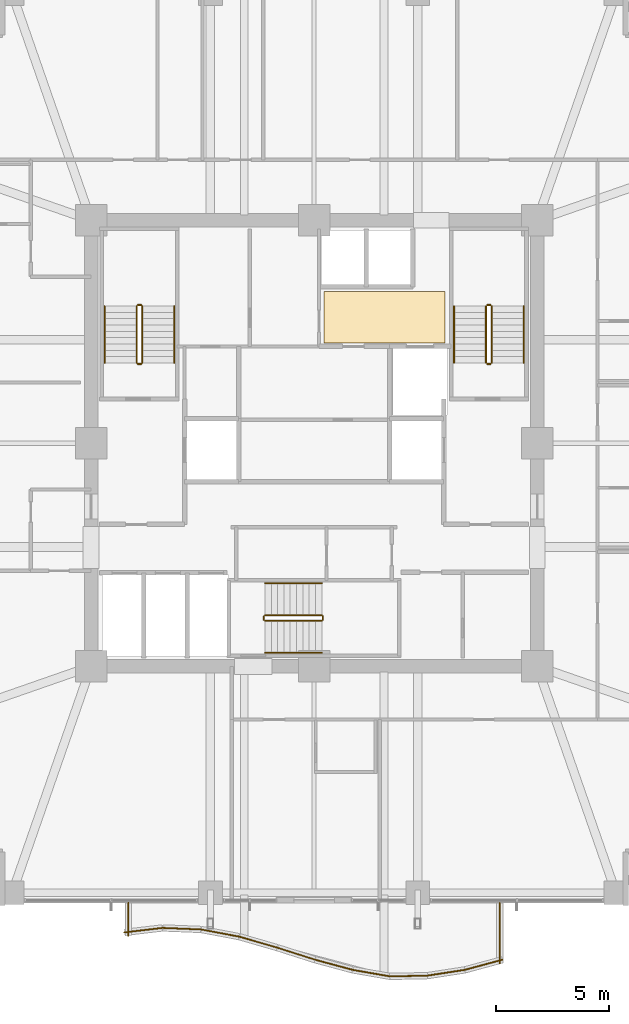
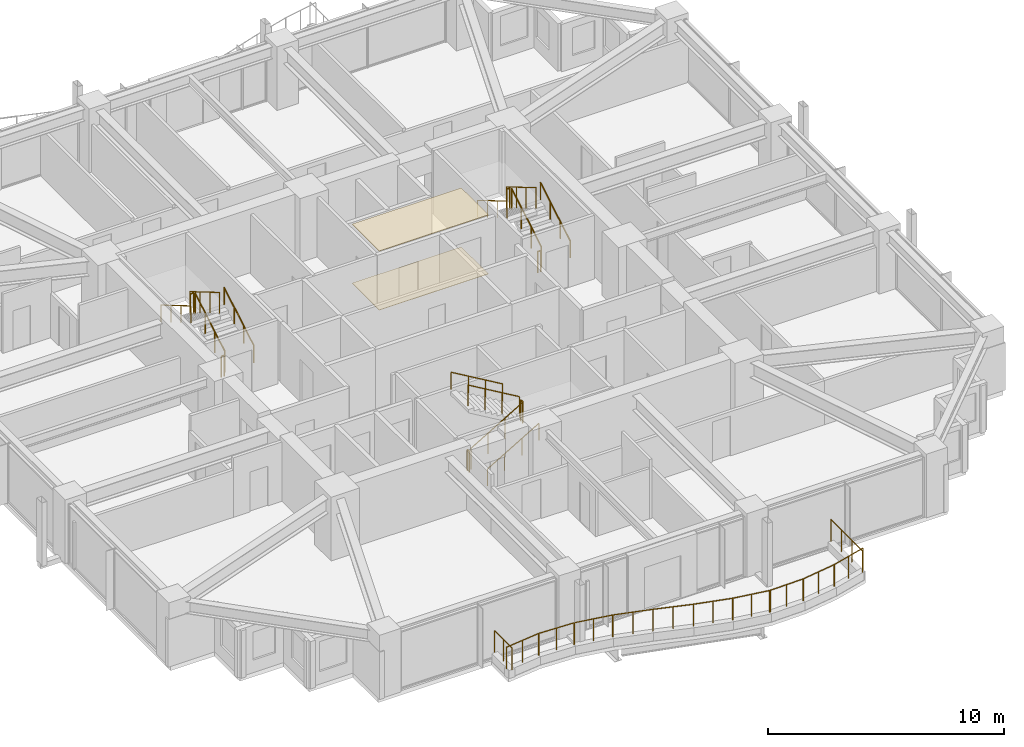
# One storey, part 37 of 38: 30 railings, 2 coverings.
"""IFC4 building model written with IfcOpenShell, lengths in metres."""

from ifc_helpers import new_model, si_unit, direction, frame, origin, origin_2d, place, context, subcontext, project, spatial, polyline, circle, outline, extrude, material, layer, layer_set, type_object, element, save


model = new_model("IFC4")

# Units and contexts
model_context = context("Model", 3, precision=1e-05, world=origin(), true_north=direction((0.0, 1.0)))
body_context = subcontext(model_context, "Body", "Model", "MODEL_VIEW")
ifc_project = project(units=[si_unit("LENGTHUNIT", "METRE"), si_unit("AREAUNIT", "SQUARE_METRE"), si_unit("VOLUMEUNIT", "CUBIC_METRE"), si_unit("PLANEANGLEUNIT", "RADIAN"), si_unit("MASSUNIT", "GRAM", prefix="KILO")], contexts=[model_context])

# Site, building, storey
site_placement = place(None, origin())
site = spatial("IfcSite", under=ifc_project, at=site_placement, CompositionType="ELEMENT")
building_placement = place(site_placement, origin())
building = spatial("IfcBuilding", under=site, at=building_placement, Name="Kolvaren Belvedere", CompositionType="ELEMENT")
storey_placement = place(building_placement, frame((0.0, 0.0, 78.800048828125)))
storey = spatial("IfcBuildingStorey", under=building, at=storey_placement, Name="L22", CompositionType="ELEMENT", Elevation=78.800048828125)

# Coverings
ifc_material_1 = material(Name="Acoustic perforated gypsum board", Category="gypsum")
ifc_layer_1 = layer(ifc_material_1, 0.02490234375)
ifc_layer_set_1 = layer_set([ifc_layer_1], Name="Acoustic perforated gypsum board")
covering_type_1 = type_object("IfcCoveringType", Name="COV-CEIL-GYP", PredefinedType="CEILING", material=ifc_layer_set_1)
covering_1_placement = place(storey_placement, frame((0.0, 0.0, 3.054931640625)))
element("IfcCovering", 1, at=covering_1_placement, inside=storey, type_object=covering_type_1, Name="L22 Lift Lobby Acoustic Baffle Ceiling", PredefinedType="CEILING", context=body_context, shape_type="SweptSolid", body=[
    extrude(outline(polyline([(0.449951171875, 4.449951171875), (5.800048828125, 4.449951171875), (5.800048828125, 6.75), (0.449951171875, 6.75), (0.449951171875, 4.449951171875)])), origin(), (0.0, 0.0, 1.0), 0.02490234375),
])
ifc_material_2 = material(Name="Engineered Pacific white oak", Category="timber")
ifc_layer_2 = layer(ifc_material_2, 0.02001953125)
ifc_layer_set_2 = layer_set([ifc_layer_2], Name="Engineered Pacific white oak")
covering_type_2 = type_object("IfcCoveringType", Name="COV-FLR-OAK", PredefinedType="FLOORING", material=ifc_layer_set_2)
covering_2_placement = place(storey_placement, origin())
element("IfcCovering", 2, at=covering_2_placement, inside=storey, type_object=covering_type_2, Name="L22 Lift Lobby Finish Flooring", PredefinedType="FLOORING", context=body_context, shape_type="SweptSolid", body=[
    extrude(outline(polyline([(0.449951171875, 4.449951171875), (5.800048828125, 4.449951171875), (5.800048828125, 6.75), (0.449951171875, 6.75), (0.449951171875, 4.449951171875)])), origin(), (0.0, 0.0, 1.0), 0.02001953125),
])

# Railings
ifc_material_3 = material(Name="Anodised pale-metal aluminium & laminated glass guard", Category="aluminium")
railing_type_1 = type_object("IfcRailingType", Name="RL-GUARD-1150", PredefinedType="GUARDRAIL", material=ifc_material_3)
railing_1_placement = place(storey_placement, frame((-8.418701171875, -21.70751953125, 0.3798828125)))
element("IfcRailing", 3, at=railing_1_placement, inside=storey, type_object=railing_type_1, Name="L22 Exterior Deck Safety Guard BAL-S-1", PredefinedType="GUARDRAIL", context=body_context, shape_type="SweptSolid", body=[
    extrude(circle(Radius=0.02392578125, at=origin_2d()), frame((0.0, 0.0, 1.1259765625), z_axis=(0.993125952783, 0.11705059551, 0.0), x_axis=(-0.11705059551, 0.993125952783, 0.0)), (0.0, 0.0, 1.0), 1.691650390625),
    extrude(circle(Radius=0.02099609375, at=origin_2d()), origin(), (0.0, 0.0, 1.0), 1.101806640625),
    extrude(circle(Radius=0.02099609375, at=origin_2d()), frame((0.83984375, 0.09912109375, 0.0)), (0.0, 0.0, 1.0), 1.101806640625),
    extrude(circle(Radius=0.02099609375, at=origin_2d()), frame((1.679931640625, 0.197998046875, 0.0)), (0.0, 0.0, 1.0), 1.101806640625),
])
railing_2_placement = place(storey_placement, frame((-6.713623046875, -21.508544921875, 0.3798828125)))
element("IfcRailing", 4, at=railing_2_placement, inside=storey, type_object=railing_type_1, Name="L22 Exterior Deck Safety Guard BAL-S-2", PredefinedType="GUARDRAIL", context=body_context, shape_type="SweptSolid", body=[
    extrude(circle(Radius=0.02392578125, at=origin_2d()), frame((0.0, 0.0, 1.1259765625), z_axis=(0.999196545286, -0.040078222133, 0.0), x_axis=(0.040078222133, 0.999196545286, 0.0)), (0.0, 0.0, 1.0), 1.681396484375),
    extrude(circle(Radius=0.02099609375, at=origin_2d()), origin(), (0.0, 0.0, 1.0), 1.101806640625),
    extrude(circle(Radius=0.02099609375, at=origin_2d()), frame((0.83984375, -0.03369140625, 0.0)), (0.0, 0.0, 1.0), 1.101806640625),
    extrude(circle(Radius=0.02099609375, at=origin_2d()), frame((1.679931640625, -0.0673828125, 0.0)), (0.0, 0.0, 1.0), 1.101806640625),
])
railing_3_placement = place(storey_placement, frame((-5.010498046875, -21.57861328125, 0.3798828125)))
element("IfcRailing", 5, at=railing_3_placement, inside=storey, type_object=railing_type_1, Name="L22 Exterior Deck Safety Guard BAL-S-3", PredefinedType="GUARDRAIL", context=body_context, shape_type="SweptSolid", body=[
    extrude(circle(Radius=0.02392578125, at=origin_2d()), frame((0.0, 0.0, 1.1259765625), z_axis=(0.982804219087, -0.184650661912, 0.0), x_axis=(0.184650661912, 0.982804219087, 0.0)), (0.0, 0.0, 1.0), 1.70947265625),
    extrude(circle(Radius=0.02099609375, at=origin_2d()), origin(), (0.0, 0.0, 1.0), 1.101806640625),
    extrude(circle(Radius=0.02099609375, at=origin_2d()), frame((0.840087890625, -0.15771484375, 0.0)), (0.0, 0.0, 1.0), 1.101806640625),
    extrude(circle(Radius=0.02099609375, at=origin_2d()), frame((1.68017578125, -0.315673828125, 0.0)), (0.0, 0.0, 1.0), 1.101806640625),
])
railing_4_placement = place(storey_placement, frame((-3.3154296875, -21.89794921875, 0.3798828125)))
element("IfcRailing", 6, at=railing_4_placement, inside=storey, type_object=railing_type_1, Name="L22 Exterior Deck Safety Guard BAL-S-4", PredefinedType="GUARDRAIL", context=body_context, shape_type="SweptSolid", body=[
    extrude(circle(Radius=0.02392578125, at=origin_2d()), frame((0.0, 0.0, 1.1259765625), z_axis=(0.960633903819, -0.277817391164, 0.0), x_axis=(0.277817391164, 0.960633903819, 0.0)), (0.0, 0.0, 1.0), 1.748779296875),
    extrude(circle(Radius=0.02099609375, at=origin_2d()), origin(), (0.0, 0.0, 1.0), 1.101806640625),
    extrude(circle(Radius=0.02099609375, at=origin_2d()), frame((0.83984375, -0.242919921875, 0.0)), (0.0, 0.0, 1.0), 1.101806640625),
    extrude(circle(Radius=0.02099609375, at=origin_2d()), frame((1.679931640625, -0.48583984375, 0.0)), (0.0, 0.0, 1.0), 1.101806640625),
])
railing_5_placement = place(storey_placement, frame((-1.63134765625, -22.38525390625, 0.3798828125)))
element("IfcRailing", 7, at=railing_5_placement, inside=storey, type_object=railing_type_1, Name="L22 Exterior Deck Safety Guard BAL-S-5", PredefinedType="GUARDRAIL", context=body_context, shape_type="SweptSolid", body=[
    extrude(circle(Radius=0.02392578125, at=origin_2d()), frame((0.0, 0.0, 1.1259765625), z_axis=(0.952661770826, -0.304032153573, 0.0), x_axis=(0.304032153573, 0.952661770826, 0.0)), (0.0, 0.0, 1.0), 1.763427734375),
    extrude(circle(Radius=0.02099609375, at=origin_2d()), origin(), (0.0, 0.0, 1.0), 1.101806640625),
    extrude(circle(Radius=0.02099609375, at=origin_2d()), frame((0.83984375, -0.26806640625, 0.0)), (0.0, 0.0, 1.0), 1.101806640625),
    extrude(circle(Radius=0.02099609375, at=origin_2d()), frame((1.679931640625, -0.5361328125, 0.0)), (0.0, 0.0, 1.0), 1.101806640625),
])
railing_6_placement = place(storey_placement, frame((0.041748046875, -22.919189453125, 0.3798828125)))
element("IfcRailing", 8, at=railing_6_placement, inside=storey, type_object=railing_type_1, Name="L22 Exterior Deck Safety Guard BAL-S-6", PredefinedType="GUARDRAIL", context=body_context, shape_type="SweptSolid", body=[
    extrude(circle(Radius=0.02392578125, at=origin_2d()), frame((0.0, 0.0, 1.1259765625), z_axis=(0.965424492388, -0.260682852326, 0.0), x_axis=(0.260682852326, 0.965424492388, 0.0)), (0.0, 0.0, 1.0), 1.739990234375),
    extrude(circle(Radius=0.02099609375, at=origin_2d()), origin(), (0.0, 0.0, 1.0), 1.101806640625),
    extrude(circle(Radius=0.02099609375, at=origin_2d()), frame((0.83984375, -0.226806640625, 0.0)), (0.0, 0.0, 1.0), 1.101806640625),
    extrude(circle(Radius=0.02099609375, at=origin_2d()), frame((1.679931640625, -0.45361328125, 0.0)), (0.0, 0.0, 1.0), 1.101806640625),
])
railing_7_placement = place(storey_placement, frame((1.70751953125, -23.36962890625, 0.3798828125)))
element("IfcRailing", 9, at=railing_7_placement, inside=storey, type_object=railing_type_1, Name="L22 Exterior Deck Safety Guard BAL-S-7", PredefinedType="GUARDRAIL", context=body_context, shape_type="SweptSolid", body=[
    extrude(circle(Radius=0.02392578125, at=origin_2d()), frame((0.0, 0.0, 1.1259765625), z_axis=(0.985156010777, -0.171661394699, 0.0), x_axis=(0.171661394699, 0.985156010777, 0.0)), (0.0, 0.0, 1.0), 1.705322265625),
    extrude(circle(Radius=0.02099609375, at=origin_2d()), origin(), (0.0, 0.0, 1.0), 1.101806640625),
    extrude(circle(Radius=0.02099609375, at=origin_2d()), frame((0.83984375, -0.146484375, 0.0)), (0.0, 0.0, 1.0), 1.101806640625),
    extrude(circle(Radius=0.02099609375, at=origin_2d()), frame((1.679931640625, -0.292724609375, 0.0)), (0.0, 0.0, 1.0), 1.101806640625),
])
railing_8_placement = place(storey_placement, frame((3.356689453125, -23.659912109375, 0.3798828125)))
element("IfcRailing", 10, at=railing_8_placement, inside=storey, type_object=railing_type_1, Name="L22 Exterior Deck Safety Guard BAL-S-8", PredefinedType="GUARDRAIL", context=body_context, shape_type="SweptSolid", body=[
    extrude(circle(Radius=0.02392578125, at=origin_2d()), frame((0.0, 0.0, 1.1259765625), z_axis=(0.999799013034, 0.020048280122, 0.0), x_axis=(-0.020048280122, 0.999799013034, 0.0)), (0.0, 0.0, 1.0), 1.680419921875),
    extrude(circle(Radius=0.02099609375, at=origin_2d()), origin(), (0.0, 0.0, 1.0), 1.101806640625),
    extrude(circle(Radius=0.02099609375, at=origin_2d()), frame((0.840087890625, 0.016845703125, 0.0)), (0.0, 0.0, 1.0), 1.101806640625),
    extrude(circle(Radius=0.02099609375, at=origin_2d()), frame((1.68017578125, 0.03369140625, 0.0)), (0.0, 0.0, 1.0), 1.101806640625),
])
railing_9_placement = place(storey_placement, frame((5.015625, -23.6279296875, 0.3798828125)))
element("IfcRailing", 11, at=railing_9_placement, inside=storey, type_object=railing_type_1, Name="L22 Exterior Deck Safety Guard BAL-S-9", PredefinedType="GUARDRAIL", context=body_context, shape_type="SweptSolid", body=[
    extrude(circle(Radius=0.02392578125, at=origin_2d()), frame((0.0, 0.0, 1.1259765625), z_axis=(0.988341789514, 0.152251460091, 0.0), x_axis=(-0.152251460091, 0.988341789514, 0.0)), (0.0, 0.0, 1.0), 1.69970703125),
    extrude(circle(Radius=0.02099609375, at=origin_2d()), origin(), (0.0, 0.0, 1.0), 1.101806640625),
    extrude(circle(Radius=0.02099609375, at=origin_2d()), frame((0.83984375, 0.12939453125, 0.0)), (0.0, 0.0, 1.0), 1.101806640625),
    extrude(circle(Radius=0.02099609375, at=origin_2d()), frame((1.679931640625, 0.2587890625, 0.0)), (0.0, 0.0, 1.0), 1.101806640625),
])
railing_10_placement = place(storey_placement, frame((6.67822265625, -23.372802734375, 0.3798828125)))
element("IfcRailing", 12, at=railing_10_placement, inside=storey, type_object=railing_type_1, Name="L22 Exterior Deck Safety Guard BAL-S-10", PredefinedType="GUARDRAIL", context=body_context, shape_type="SweptSolid", body=[
    extrude(circle(Radius=0.02392578125, at=origin_2d()), frame((0.0, 0.0, 1.1259765625), z_axis=(0.965434024814, 0.260647546949, 0.0), x_axis=(-0.260647546949, 0.965434024814, 0.0)), (0.0, 0.0, 1.0), 1.740234375),
    extrude(circle(Radius=0.02099609375, at=origin_2d()), origin(), (0.0, 0.0, 1.0), 1.101806640625),
    extrude(circle(Radius=0.02099609375, at=origin_2d()), frame((0.840087890625, 0.226806640625, 0.0)), (0.0, 0.0, 1.0), 1.101806640625),
    extrude(circle(Radius=0.02099609375, at=origin_2d()), frame((1.68017578125, 0.45361328125, 0.0)), (0.0, 0.0, 1.0), 1.101806640625),
])
railing_11_placement = place(storey_placement, frame((8.239990234375, -23.07373046875, 0.3798828125)))
element("IfcRailing", 13, at=railing_11_placement, inside=storey, type_object=railing_type_1, Name="L22 Exterior Deck Safety Guard BAL-S-11", PredefinedType="GUARDRAIL", context=body_context, shape_type="SweptSolid", body=[
    extrude(circle(Radius=0.02392578125, at=origin_2d()), frame((0.0, 0.0, 1.1259765625), z_axis=(0.0, 1.0, 0.0), x_axis=(-1.0, 0.0, 0.0)), (0.0, 0.0, 1.0), 2.673828125),
    extrude(circle(Radius=0.02099609375, at=origin_2d()), origin(), (0.0, 0.0, 1.0), 1.101806640625),
    extrude(circle(Radius=0.02099609375, at=origin_2d()), frame((0.0, 0.891357421875, 0.0)), (0.0, 0.0, 1.0), 1.101806640625),
    extrude(circle(Radius=0.02099609375, at=origin_2d()), frame((0.0, 1.782470703125, 0.0)), (0.0, 0.0, 1.0), 1.101806640625),
    extrude(circle(Radius=0.02099609375, at=origin_2d()), frame((0.0, 2.673828125, 0.0)), (0.0, 0.0, 1.0), 1.101806640625),
])
railing_12_placement = place(storey_placement, frame((-8.239990234375, -20.39990234375, 0.3798828125)))
element("IfcRailing", 14, at=railing_12_placement, inside=storey, type_object=railing_type_1, Name="L22 Exterior Deck Safety Guard BAL-S-22", PredefinedType="GUARDRAIL", context=body_context, shape_type="SweptSolid", body=[
    extrude(circle(Radius=0.02392578125, at=origin_2d()), frame((0.0, 0.0, 1.1259765625), z_axis=(0.0, -1.0, 0.0), x_axis=(1.0, 0.0, 0.0)), (0.0, 0.0, 1.0), 1.46630859375),
    extrude(circle(Radius=0.02099609375, at=origin_2d()), origin(), (0.0, 0.0, 1.0), 1.101806640625),
    extrude(circle(Radius=0.02099609375, at=origin_2d()), frame((0.0, -0.733154296875, 0.0)), (0.0, 0.0, 1.0), 1.101806640625),
    extrude(circle(Radius=0.02099609375, at=origin_2d()), frame((0.0, -1.46630859375, 0.0)), (0.0, 0.0, 1.0), 1.101806640625),
])
ifc_material_4 = material(Name="Brushed stainless-steel handrail", Category="steel")
railing_type_2 = type_object("IfcRailingType", Name="RL-HANDRAIL-920", PredefinedType="HANDRAIL", material=ifc_material_4)
railing_13_placement = place(storey_placement, frame((-6.2099609375, 3.570068359375, 0.1650390625)))
element("IfcRailing", 15, at=railing_13_placement, inside=storey, type_object=railing_type_2, Name="L22 ST-1 stair handrail 1", PredefinedType="HANDRAIL", context=body_context, shape_type="SweptSolid", body=[
    extrude(circle(Radius=0.02392578125, at=origin_2d()), frame((0.0, 0.0, 0.8759765625), z_axis=(0.0, 0.861560626758, 0.507654692109), x_axis=(-1.0, 0.0, 0.0)), (0.0, 0.0, 1.0), 2.925048828125),
    extrude(circle(Radius=0.02099609375, at=origin_2d()), origin(), (0.0, 0.0, 1.0), 0.851806640625),
    extrude(circle(Radius=0.02099609375, at=origin_2d()), frame((0.0, 0.840087890625, 0.494873046875)), (0.0, 0.0, 1.0), 0.851806640625),
    extrude(circle(Radius=0.02099609375, at=origin_2d()), frame((0.0, 1.679931640625, 0.989990234375)), (0.0, 0.0, 1.0), 0.851806640625),
    extrude(circle(Radius=0.02099609375, at=origin_2d()), frame((0.0, 2.52001953125, 1.48486328125)), (0.0, 0.0, 1.0), 0.851806640625),
])
railing_14_placement = place(storey_placement, frame((-9.300048828125, 6.090087890625, 1.81494140625)))
element("IfcRailing", 16, at=railing_14_placement, inside=storey, type_object=railing_type_2, Name="L22 ST-1 stair handrail 2", PredefinedType="HANDRAIL", context=body_context, shape_type="SweptSolid", body=[
    extrude(circle(Radius=0.02392578125, at=origin_2d()), frame((0.0, 0.0, 0.8759765625), z_axis=(0.0, -0.86152411907, 0.507716645641), x_axis=(1.0, 0.0, 0.0)), (0.0, 0.0, 1.0), 2.925048828125),
    extrude(circle(Radius=0.02099609375, at=origin_2d()), origin(), (0.0, 0.0, 1.0), 0.851806640625),
    extrude(circle(Radius=0.02099609375, at=origin_2d()), frame((0.0, -0.840087890625, 0.4951171875)), (0.0, 0.0, 1.0), 0.851806640625),
    extrude(circle(Radius=0.02099609375, at=origin_2d()), frame((0.0, -1.679931640625, 0.989990234375)), (0.0, 0.0, 1.0), 0.851806640625),
    extrude(circle(Radius=0.02099609375, at=origin_2d()), frame((0.0, -2.52001953125, 1.485107421875)), (0.0, 0.0, 1.0), 0.851806640625),
])
railing_15_placement = place(storey_placement, frame((9.300048828125, 3.570068359375, 0.1650390625)))
element("IfcRailing", 17, at=railing_15_placement, inside=storey, type_object=railing_type_2, Name="L22 ST-2 stair handrail 1", PredefinedType="HANDRAIL", context=body_context, shape_type="SweptSolid", body=[
    extrude(circle(Radius=0.02392578125, at=origin_2d()), frame((0.0, 0.0, 0.8759765625), z_axis=(0.0, 0.861560626758, 0.507654692109), x_axis=(-1.0, 0.0, 0.0)), (0.0, 0.0, 1.0), 2.925048828125),
    extrude(circle(Radius=0.02099609375, at=origin_2d()), origin(), (0.0, 0.0, 1.0), 0.851806640625),
    extrude(circle(Radius=0.02099609375, at=origin_2d()), frame((0.0, 0.840087890625, 0.494873046875)), (0.0, 0.0, 1.0), 0.851806640625),
    extrude(circle(Radius=0.02099609375, at=origin_2d()), frame((0.0, 1.679931640625, 0.989990234375)), (0.0, 0.0, 1.0), 0.851806640625),
    extrude(circle(Radius=0.02099609375, at=origin_2d()), frame((0.0, 2.52001953125, 1.48486328125)), (0.0, 0.0, 1.0), 0.851806640625),
])
railing_16_placement = place(storey_placement, frame((6.2099609375, 6.090087890625, 1.81494140625)))
element("IfcRailing", 18, at=railing_16_placement, inside=storey, type_object=railing_type_2, Name="L22 ST-2 stair handrail 2", PredefinedType="HANDRAIL", context=body_context, shape_type="SweptSolid", body=[
    extrude(circle(Radius=0.02392578125, at=origin_2d()), frame((0.0, 0.0, 0.8759765625), z_axis=(0.0, -0.86152411907, 0.507716645641), x_axis=(1.0, 0.0, 0.0)), (0.0, 0.0, 1.0), 2.925048828125),
    extrude(circle(Radius=0.02099609375, at=origin_2d()), origin(), (0.0, 0.0, 1.0), 0.851806640625),
    extrude(circle(Radius=0.02099609375, at=origin_2d()), frame((0.0, -0.840087890625, 0.4951171875)), (0.0, 0.0, 1.0), 0.851806640625),
    extrude(circle(Radius=0.02099609375, at=origin_2d()), frame((0.0, -1.679931640625, 0.989990234375)), (0.0, 0.0, 1.0), 0.851806640625),
    extrude(circle(Radius=0.02099609375, at=origin_2d()), frame((0.0, -2.52001953125, 1.485107421875)), (0.0, 0.0, 1.0), 0.851806640625),
])
railing_17_placement = place(storey_placement, frame((-2.179931640625, -9.300048828125, 0.1650390625)))
element("IfcRailing", 19, at=railing_17_placement, inside=storey, type_object=railing_type_2, Name="L22 ST-3 stair handrail 1", PredefinedType="HANDRAIL", context=body_context, shape_type="SweptSolid", body=[
    extrude(circle(Radius=0.02392578125, at=origin_2d()), frame((0.0, 0.0, 0.8759765625), z_axis=(0.861560626758, 0.0, 0.507654692109), x_axis=(0.0, 1.0, 0.0)), (0.0, 0.0, 1.0), 2.925048828125),
    extrude(circle(Radius=0.02099609375, at=origin_2d()), origin(), (0.0, 0.0, 1.0), 0.851806640625),
    extrude(circle(Radius=0.02099609375, at=origin_2d()), frame((0.840087890625, 0.0, 0.494873046875)), (0.0, 0.0, 1.0), 0.851806640625),
    extrude(circle(Radius=0.02099609375, at=origin_2d()), frame((1.679931640625, 0.0, 0.989990234375)), (0.0, 0.0, 1.0), 0.851806640625),
    extrude(circle(Radius=0.02099609375, at=origin_2d()), frame((2.52001953125, 0.0, 1.48486328125)), (0.0, 0.0, 1.0), 0.851806640625),
])
railing_18_placement = place(storey_placement, frame((0.340087890625, -6.2099609375, 1.81494140625)))
element("IfcRailing", 20, at=railing_18_placement, inside=storey, type_object=railing_type_2, Name="L22 ST-3 stair handrail 2", PredefinedType="HANDRAIL", context=body_context, shape_type="SweptSolid", body=[
    extrude(circle(Radius=0.02392578125, at=origin_2d()), frame((0.0, 0.0, 0.8759765625), z_axis=(-0.86152411907, 0.0, 0.507716645641), x_axis=(0.0, -1.0, 0.0)), (0.0, 0.0, 1.0), 2.925048828125),
    extrude(circle(Radius=0.02099609375, at=origin_2d()), origin(), (0.0, 0.0, 1.0), 0.851806640625),
    extrude(circle(Radius=0.02099609375, at=origin_2d()), frame((-0.840087890625, 0.0, 0.4951171875)), (0.0, 0.0, 1.0), 0.851806640625),
    extrude(circle(Radius=0.02099609375, at=origin_2d()), frame((-1.679931640625, 0.0, 0.989990234375)), (0.0, 0.0, 1.0), 0.851806640625),
    extrude(circle(Radius=0.02099609375, at=origin_2d()), frame((-2.52001953125, 0.0, 1.485107421875)), (0.0, 0.0, 1.0), 0.851806640625),
])
ifc_material_5 = material(Name="Painted tubular steel stair guard", Category="steel")
railing_type_3 = type_object("IfcRailingType", Name="RL-STGUARD-1100", PredefinedType="GUARDRAIL", material=ifc_material_5)
railing_19_placement = place(storey_placement, frame((-7.6298828125, 3.570068359375, 0.1650390625)))
element("IfcRailing", 21, at=railing_19_placement, inside=storey, type_object=railing_type_3, Name="L22 ST-1 stair guard 1", PredefinedType="GUARDRAIL", context=body_context, shape_type="SweptSolid", body=[
    extrude(circle(Radius=0.02392578125, at=origin_2d()), frame((0.0, 0.0, 1.076171875), z_axis=(0.0, 0.861560626758, 0.507654692109), x_axis=(-1.0, 0.0, 0.0)), (0.0, 0.0, 1.0), 2.925048828125),
    extrude(circle(Radius=0.02099609375, at=origin_2d()), origin(), (0.0, 0.0, 1.0), 1.052001953125),
    extrude(circle(Radius=0.02099609375, at=origin_2d()), frame((0.0, 0.840087890625, 0.494873046875)), (0.0, 0.0, 1.0), 1.052001953125),
    extrude(circle(Radius=0.02099609375, at=origin_2d()), frame((0.0, 1.679931640625, 0.989990234375)), (0.0, 0.0, 1.0), 1.052001953125),
    extrude(circle(Radius=0.02099609375, at=origin_2d()), frame((0.0, 2.52001953125, 1.48486328125)), (0.0, 0.0, 1.0), 1.052001953125),
])
railing_20_placement = place(storey_placement, frame((-7.679931640625, 6.139892578125, 1.64990234375)))
element("IfcRailing", 22, at=railing_20_placement, inside=storey, type_object=railing_type_3, Name="L22 ST-1 stair guard 2", PredefinedType="GUARDRAIL", context=body_context, shape_type="SweptSolid", body=[
    extrude(circle(Radius=0.02392578125, at=origin_2d()), frame((0.0, 0.0, 1.076171875), z_axis=(-1.0, 0.0, 0.0), x_axis=(0.0, -1.0, 0.0)), (0.0, 0.0, 1.0), 0.150146484375),
    extrude(circle(Radius=0.02099609375, at=origin_2d()), origin(), (0.0, 0.0, 1.0), 1.052001953125),
    extrude(circle(Radius=0.02099609375, at=origin_2d()), frame((-0.150146484375, 0.0, 0.0)), (0.0, 0.0, 1.0), 1.052001953125),
])
railing_21_placement = place(storey_placement, frame((-7.8798828125, 6.090087890625, 1.81494140625)))
element("IfcRailing", 23, at=railing_21_placement, inside=storey, type_object=railing_type_3, Name="L22 ST-1 stair guard 3", PredefinedType="GUARDRAIL", context=body_context, shape_type="SweptSolid", body=[
    extrude(circle(Radius=0.02392578125, at=origin_2d()), frame((0.0, 0.0, 1.076171875), z_axis=(0.0, -0.86152411907, 0.507716645641), x_axis=(1.0, 0.0, 0.0)), (0.0, 0.0, 1.0), 2.925048828125),
    extrude(circle(Radius=0.02099609375, at=origin_2d()), origin(), (0.0, 0.0, 1.0), 1.052001953125),
    extrude(circle(Radius=0.02099609375, at=origin_2d()), frame((0.0, -0.840087890625, 0.4951171875)), (0.0, 0.0, 1.0), 1.052001953125),
    extrude(circle(Radius=0.02099609375, at=origin_2d()), frame((0.0, -1.679931640625, 0.989990234375)), (0.0, 0.0, 1.0), 1.052001953125),
    extrude(circle(Radius=0.02099609375, at=origin_2d()), frame((0.0, -2.52001953125, 1.485107421875)), (0.0, 0.0, 1.0), 1.052001953125),
])
railing_22_placement = place(storey_placement, frame((-7.679931640625, 3.52001953125, 0.0)))
element("IfcRailing", 24, at=railing_22_placement, inside=storey, type_object=railing_type_3, Name="L22 ST-1 stair guard 4", PredefinedType="GUARDRAIL", context=body_context, shape_type="SweptSolid", body=[
    extrude(circle(Radius=0.02392578125, at=origin_2d()), frame((0.0, 0.0, 1.076171875), z_axis=(-1.0, 0.0, 0.0), x_axis=(0.0, -1.0, 0.0)), (0.0, 0.0, 1.0), 0.150146484375),
    extrude(circle(Radius=0.02099609375, at=origin_2d()), origin(), (0.0, 0.0, 1.0), 1.052001953125),
    extrude(circle(Radius=0.02099609375, at=origin_2d()), frame((-0.150146484375, 0.0, 0.0)), (0.0, 0.0, 1.0), 1.052001953125),
])
railing_23_placement = place(storey_placement, frame((7.8798828125, 3.570068359375, 0.1650390625)))
element("IfcRailing", 25, at=railing_23_placement, inside=storey, type_object=railing_type_3, Name="L22 ST-2 stair guard 1", PredefinedType="GUARDRAIL", context=body_context, shape_type="SweptSolid", body=[
    extrude(circle(Radius=0.02392578125, at=origin_2d()), frame((0.0, 0.0, 1.076171875), z_axis=(0.0, 0.861560626758, 0.507654692109), x_axis=(-1.0, 0.0, 0.0)), (0.0, 0.0, 1.0), 2.925048828125),
    extrude(circle(Radius=0.02099609375, at=origin_2d()), origin(), (0.0, 0.0, 1.0), 1.052001953125),
    extrude(circle(Radius=0.02099609375, at=origin_2d()), frame((0.0, 0.840087890625, 0.494873046875)), (0.0, 0.0, 1.0), 1.052001953125),
    extrude(circle(Radius=0.02099609375, at=origin_2d()), frame((0.0, 1.679931640625, 0.989990234375)), (0.0, 0.0, 1.0), 1.052001953125),
    extrude(circle(Radius=0.02099609375, at=origin_2d()), frame((0.0, 2.52001953125, 1.48486328125)), (0.0, 0.0, 1.0), 1.052001953125),
])
railing_24_placement = place(storey_placement, frame((7.830078125, 6.139892578125, 1.64990234375)))
element("IfcRailing", 26, at=railing_24_placement, inside=storey, type_object=railing_type_3, Name="L22 ST-2 stair guard 2", PredefinedType="GUARDRAIL", context=body_context, shape_type="SweptSolid", body=[
    extrude(circle(Radius=0.02392578125, at=origin_2d()), frame((0.0, 0.0, 1.076171875), z_axis=(-1.0, 0.0, 0.0), x_axis=(0.0, -1.0, 0.0)), (0.0, 0.0, 1.0), 0.150146484375),
    extrude(circle(Radius=0.02099609375, at=origin_2d()), origin(), (0.0, 0.0, 1.0), 1.052001953125),
    extrude(circle(Radius=0.02099609375, at=origin_2d()), frame((-0.150146484375, 0.0, 0.0)), (0.0, 0.0, 1.0), 1.052001953125),
])
railing_25_placement = place(storey_placement, frame((7.6298828125, 6.090087890625, 1.81494140625)))
element("IfcRailing", 27, at=railing_25_placement, inside=storey, type_object=railing_type_3, Name="L22 ST-2 stair guard 3", PredefinedType="GUARDRAIL", context=body_context, shape_type="SweptSolid", body=[
    extrude(circle(Radius=0.02392578125, at=origin_2d()), frame((0.0, 0.0, 1.076171875), z_axis=(0.0, -0.86152411907, 0.507716645641), x_axis=(1.0, 0.0, 0.0)), (0.0, 0.0, 1.0), 2.925048828125),
    extrude(circle(Radius=0.02099609375, at=origin_2d()), origin(), (0.0, 0.0, 1.0), 1.052001953125),
    extrude(circle(Radius=0.02099609375, at=origin_2d()), frame((0.0, -0.840087890625, 0.4951171875)), (0.0, 0.0, 1.0), 1.052001953125),
    extrude(circle(Radius=0.02099609375, at=origin_2d()), frame((0.0, -1.679931640625, 0.989990234375)), (0.0, 0.0, 1.0), 1.052001953125),
    extrude(circle(Radius=0.02099609375, at=origin_2d()), frame((0.0, -2.52001953125, 1.485107421875)), (0.0, 0.0, 1.0), 1.052001953125),
])
railing_26_placement = place(storey_placement, frame((7.830078125, 3.52001953125, 0.0)))
element("IfcRailing", 28, at=railing_26_placement, inside=storey, type_object=railing_type_3, Name="L22 ST-2 stair guard 4", PredefinedType="GUARDRAIL", context=body_context, shape_type="SweptSolid", body=[
    extrude(circle(Radius=0.02392578125, at=origin_2d()), frame((0.0, 0.0, 1.076171875), z_axis=(-1.0, 0.0, 0.0), x_axis=(0.0, -1.0, 0.0)), (0.0, 0.0, 1.0), 0.150146484375),
    extrude(circle(Radius=0.02099609375, at=origin_2d()), origin(), (0.0, 0.0, 1.0), 1.052001953125),
    extrude(circle(Radius=0.02099609375, at=origin_2d()), frame((-0.150146484375, 0.0, 0.0)), (0.0, 0.0, 1.0), 1.052001953125),
])
railing_27_placement = place(storey_placement, frame((-2.179931640625, -7.8798828125, 0.1650390625)))
element("IfcRailing", 29, at=railing_27_placement, inside=storey, type_object=railing_type_3, Name="L22 ST-3 stair guard 1", PredefinedType="GUARDRAIL", context=body_context, shape_type="SweptSolid", body=[
    extrude(circle(Radius=0.02392578125, at=origin_2d()), frame((0.0, 0.0, 1.076171875), z_axis=(0.861560626758, 0.0, 0.507654692109), x_axis=(0.0, 1.0, 0.0)), (0.0, 0.0, 1.0), 2.925048828125),
    extrude(circle(Radius=0.02099609375, at=origin_2d()), origin(), (0.0, 0.0, 1.0), 1.052001953125),
    extrude(circle(Radius=0.02099609375, at=origin_2d()), frame((0.840087890625, 0.0, 0.494873046875)), (0.0, 0.0, 1.0), 1.052001953125),
    extrude(circle(Radius=0.02099609375, at=origin_2d()), frame((1.679931640625, 0.0, 0.989990234375)), (0.0, 0.0, 1.0), 1.052001953125),
    extrude(circle(Radius=0.02099609375, at=origin_2d()), frame((2.52001953125, 0.0, 1.48486328125)), (0.0, 0.0, 1.0), 1.052001953125),
])
railing_28_placement = place(storey_placement, frame((0.389892578125, -7.830078125, 1.64990234375)))
element("IfcRailing", 30, at=railing_28_placement, inside=storey, type_object=railing_type_3, Name="L22 ST-3 stair guard 2", PredefinedType="GUARDRAIL", context=body_context, shape_type="SweptSolid", body=[
    extrude(circle(Radius=0.02392578125, at=origin_2d()), frame((0.0, 0.0, 1.076171875), z_axis=(0.0, 1.0, 0.0), x_axis=(-1.0, 0.0, 0.0)), (0.0, 0.0, 1.0), 0.150146484375),
    extrude(circle(Radius=0.02099609375, at=origin_2d()), origin(), (0.0, 0.0, 1.0), 1.052001953125),
    extrude(circle(Radius=0.02099609375, at=origin_2d()), frame((0.0, 0.150146484375, 0.0)), (0.0, 0.0, 1.0), 1.052001953125),
])
railing_29_placement = place(storey_placement, frame((0.340087890625, -7.6298828125, 1.81494140625)))
element("IfcRailing", 31, at=railing_29_placement, inside=storey, type_object=railing_type_3, Name="L22 ST-3 stair guard 3", PredefinedType="GUARDRAIL", context=body_context, shape_type="SweptSolid", body=[
    extrude(circle(Radius=0.02392578125, at=origin_2d()), frame((0.0, 0.0, 1.076171875), z_axis=(-0.86152411907, 0.0, 0.507716645641), x_axis=(0.0, -1.0, 0.0)), (0.0, 0.0, 1.0), 2.925048828125),
    extrude(circle(Radius=0.02099609375, at=origin_2d()), origin(), (0.0, 0.0, 1.0), 1.052001953125),
    extrude(circle(Radius=0.02099609375, at=origin_2d()), frame((-0.840087890625, 0.0, 0.4951171875)), (0.0, 0.0, 1.0), 1.052001953125),
    extrude(circle(Radius=0.02099609375, at=origin_2d()), frame((-1.679931640625, 0.0, 0.989990234375)), (0.0, 0.0, 1.0), 1.052001953125),
    extrude(circle(Radius=0.02099609375, at=origin_2d()), frame((-2.52001953125, 0.0, 1.485107421875)), (0.0, 0.0, 1.0), 1.052001953125),
])
railing_30_placement = place(storey_placement, frame((-2.22998046875, -7.830078125, 0.0)))
element("IfcRailing", 32, at=railing_30_placement, inside=storey, type_object=railing_type_3, Name="L22 ST-3 stair guard 4", PredefinedType="GUARDRAIL", context=body_context, shape_type="SweptSolid", body=[
    extrude(circle(Radius=0.02392578125, at=origin_2d()), frame((0.0, 0.0, 1.076171875), z_axis=(0.0, 1.0, 0.0), x_axis=(-1.0, 0.0, 0.0)), (0.0, 0.0, 1.0), 0.150146484375),
    extrude(circle(Radius=0.02099609375, at=origin_2d()), origin(), (0.0, 0.0, 1.0), 1.052001953125),
    extrude(circle(Radius=0.02099609375, at=origin_2d()), frame((0.0, 0.150146484375, 0.0)), (0.0, 0.0, 1.0), 1.052001953125),
])

save(model, "model.ifc")
